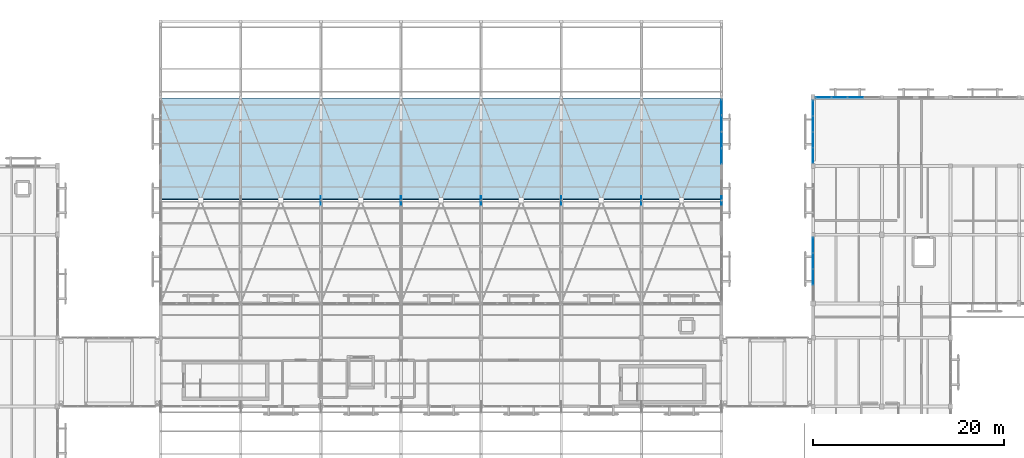
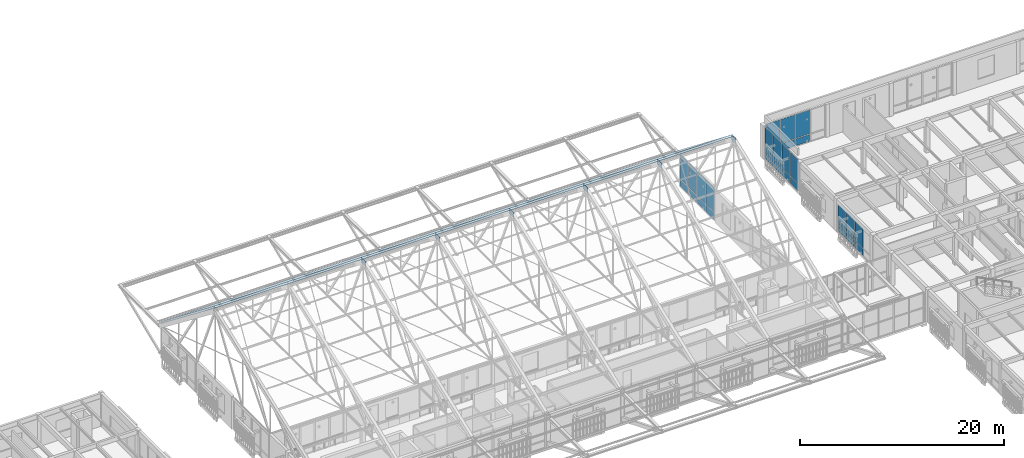
# One storey, part 171 of 217: 34 plates, 1 slab, 4 elements without a shape of their own.
"""IFC4 building model written with IfcOpenShell, lengths in metres."""

from ifc_helpers import new_model, si_unit, direction, frame, origin, origin_2d, place, context, subcontext, project, spatial, polyline, rectangle, outline, extrude, material, layer, layer_set, type_object, element, aggregate, save


model = new_model("IFC4")

# Units and contexts
model_context = context("Model", 3, precision=1e-05, world=origin(), true_north=direction((0.0, 1.0)))
body_context = subcontext(model_context, "Body", "Model", "MODEL_VIEW")
ifc_project = project(units=[si_unit("LENGTHUNIT", "METRE"), si_unit("AREAUNIT", "SQUARE_METRE"), si_unit("VOLUMEUNIT", "CUBIC_METRE"), si_unit("PLANEANGLEUNIT", "RADIAN"), si_unit("MASSUNIT", "GRAM", prefix="KILO")], contexts=[model_context])

# Site, building, storey
site_placement = place(None, origin())
site = spatial("IfcSite", under=ifc_project, at=site_placement, CompositionType="ELEMENT")
building_placement = place(site_placement, origin())
building = spatial("IfcBuilding", under=site, at=building_placement, Name="Mazaris Harbour Polytechnic", CompositionType="ELEMENT")
storey_placement = place(building_placement, frame((0.0, 0.0, 9.60009765625)))
storey = spatial("IfcBuildingStorey", under=building, at=storey_placement, Name="L02", CompositionType="ELEMENT", Elevation=9.60009765625)

# Curtain wall, plates
ifc_material_1 = material(Name="Anodised Bronze Aluminium and Low-E Glass", Category="aluminium")
ifc_layer_1 = layer(ifc_material_1, 0.14990234375, Name="Anodised Bronze Aluminium and Low-E Glass")
ifc_layer_set_1 = layer_set([ifc_layer_1], Name="Anodised Bronze Aluminium and Low-E Glass")
curtain_wall_type_1 = type_object("IfcCurtainWallType", Name="Workshop Clerestory Curtain Wall", PredefinedType="NOTDEFINED", material=ifc_layer_set_1)
curtain_wall_1_placement = place(storey_placement, origin())
curtain_wall_1 = element("IfcCurtainWall", 1, at=curtain_wall_1_placement, inside=storey, type_object=curtain_wall_type_1, Name="V1 L02 Curtain Wall 36", PredefinedType="NOTDEFINED")
ifc_material_2 = material(Name="Acoustic Low-E Double Glazing", Category="glass")
ifc_layer_2 = layer(ifc_material_2, 0.033935546875, Name="Acoustic Low-E Double Glazing")
ifc_layer_set_2 = layer_set([ifc_layer_2], Name="Acoustic Low-E Double Glazing")
plate_type_1 = type_object("IfcPlateType", Name="Acoustic Laminated Glass Panel 34", PredefinedType="CURTAIN_PANEL", material=ifc_layer_set_2)
plate_1_placement = place(storey_placement, frame((112.800048828125, 106.954833984375, 0.079833984375), z_axis=(0.0, 0.0, 1.0), x_axis=(0.0, -1.0, 0.0)))
plate_1 = element("IfcPlate", 2, at=plate_1_placement, type_object=plate_type_1, Name="CW-04 panel 1.1", PredefinedType="CURTAIN_PANEL", context=body_context, shape_type="SweptSolid", body=[
    extrude(rectangle(XDim=1.576416015625, YDim=0.033935546875, at=origin_2d()), origin(), (0.0, 0.0, 1.0), 0.830078125),
])
plate_2_placement = place(storey_placement, frame((112.800048828125, 106.954833984375, 0.98974609375), z_axis=(0.0, 0.0, 1.0), x_axis=(0.0, -1.0, 0.0)))
plate_2 = element("IfcPlate", 3, at=plate_2_placement, type_object=plate_type_1, Name="CW-04 panel 1.2", PredefinedType="CURTAIN_PANEL", context=body_context, shape_type="SweptSolid", body=[
    extrude(rectangle(XDim=1.576416015625, YDim=0.033935546875, at=origin_2d()), origin(), (0.0, 0.0, 1.0), 2.889892578125),
])
plate_3_placement = place(storey_placement, frame((112.800048828125, 105.253173828125, 0.079833984375), z_axis=(0.0, 0.0, 1.0), x_axis=(0.0, -1.0, 0.0)))
plate_3 = element("IfcPlate", 4, at=plate_3_placement, type_object=plate_type_1, Name="CW-04 panel 2.1", PredefinedType="CURTAIN_PANEL", context=body_context, shape_type="SweptSolid", body=[
    extrude(rectangle(XDim=1.62646484375, YDim=0.033935546875, at=origin_2d()), origin(), (0.0, 0.0, 1.0), 0.830078125),
])
plate_4_placement = place(storey_placement, frame((112.800048828125, 105.253173828125, 0.98974609375), z_axis=(0.0, 0.0, 1.0), x_axis=(0.0, -1.0, 0.0)))
plate_4 = element("IfcPlate", 5, at=plate_4_placement, type_object=plate_type_1, Name="CW-04 panel 2.2", PredefinedType="CURTAIN_PANEL", context=body_context, shape_type="SweptSolid", body=[
    extrude(rectangle(XDim=1.62646484375, YDim=0.033935546875, at=origin_2d()), origin(), (0.0, 0.0, 1.0), 2.889892578125),
])
plate_5_placement = place(storey_placement, frame((112.800048828125, 103.52685546875, 0.079833984375), z_axis=(0.0, 0.0, 1.0), x_axis=(0.0, -1.0, 0.0)))
plate_5 = element("IfcPlate", 6, at=plate_5_placement, type_object=plate_type_1, Name="CW-04 panel 3.1", PredefinedType="CURTAIN_PANEL", context=body_context, shape_type="SweptSolid", body=[
    extrude(rectangle(XDim=1.62646484375, YDim=0.033935546875, at=origin_2d()), origin(), (0.0, 0.0, 1.0), 0.830078125),
])
plate_6_placement = place(storey_placement, frame((112.800048828125, 103.52685546875, 0.98974609375), z_axis=(0.0, 0.0, 1.0), x_axis=(0.0, -1.0, 0.0)))
plate_6 = element("IfcPlate", 7, at=plate_6_placement, type_object=plate_type_1, Name="CW-04 panel 3.2", PredefinedType="CURTAIN_PANEL", context=body_context, shape_type="SweptSolid", body=[
    extrude(rectangle(XDim=1.62646484375, YDim=0.033935546875, at=origin_2d()), origin(), (0.0, 0.0, 1.0), 2.889892578125),
])
plate_7_placement = place(storey_placement, frame((112.800048828125, 101.8251953125, 0.079833984375), z_axis=(0.0, 0.0, 1.0), x_axis=(0.0, -1.0, 0.0)))
plate_7 = element("IfcPlate", 8, at=plate_7_placement, type_object=plate_type_1, Name="CW-04 panel 4.1", PredefinedType="CURTAIN_PANEL", context=body_context, shape_type="SweptSolid", body=[
    extrude(rectangle(XDim=1.576416015625, YDim=0.033935546875, at=origin_2d()), origin(), (0.0, 0.0, 1.0), 0.830078125),
])
plate_8_placement = place(storey_placement, frame((112.800048828125, 101.8251953125, 0.98974609375), z_axis=(0.0, 0.0, 1.0), x_axis=(0.0, -1.0, 0.0)))
plate_8 = element("IfcPlate", 9, at=plate_8_placement, type_object=plate_type_1, Name="CW-04 panel 4.2", PredefinedType="CURTAIN_PANEL", context=body_context, shape_type="SweptSolid", body=[
    extrude(rectangle(XDim=1.576416015625, YDim=0.033935546875, at=origin_2d()), origin(), (0.0, 0.0, 1.0), 2.889892578125),
])
aggregate(curtain_wall_1, [plate_1, plate_2, plate_3, plate_4, plate_5, plate_6, plate_7, plate_8])

# Slab
ifc_material_3 = material(Name="Glulam GL28h", Category="wood")
ifc_layer_3 = layer(ifc_material_3, 0.219970703125, Name="Glulam GL28h")
ifc_layer_set_3 = layer_set([ifc_layer_3], Name="Glulam GL28h")
slab_type = type_object("IfcSlabType", Name="Pitched Workshop Roof Deck 220", PredefinedType="ROOF", material=ifc_layer_set_3)
slab_placement = place(storey_placement, frame((54.0, 97.360107421875, 12.5498046875), z_axis=(0.0, 0.617687697744, 0.786423491546), x_axis=(1.0, 0.0, 0.0)))
element("IfcSlab", 10, at=slab_placement, inside=storey, type_object=slab_type, Name="V1 Workshop North Pitched Roof", PredefinedType="ROOF", context=body_context, shape_type="SweptSolid", body=[
    extrude(outline(polyline([(0.0, 0.0), (58.800048828125, 0.0), (58.800048828125, 13.453100140201933), (0.0, 13.453100140201933), (0.0, 0.0)])), origin(), (0.0, 0.0, -1.0), 0.219970703125),
])

# Curtain wall, plates
ifc_material_4 = material(Name="Anodised Bronze Aluminium and Low-E Glass", Category="aluminium")
ifc_layer_4 = layer(ifc_material_4, 0.169921875, Name="Anodised Bronze Aluminium and Low-E Glass")
ifc_layer_set_4 = layer_set([ifc_layer_4], Name="Anodised Bronze Aluminium and Low-E Glass")
curtain_wall_type_2 = type_object("IfcCurtainWallType", Name="Studio North-Light Curtain Wall", PredefinedType="NOTDEFINED", material=ifc_layer_set_4)
curtain_wall_2_placement = place(storey_placement, origin())
curtain_wall_2 = element("IfcCurtainWall", 11, at=curtain_wall_2_placement, inside=storey, type_object=curtain_wall_type_2, Name="V5 L02 Curtain Wall 227", PredefinedType="NOTDEFINED")
ifc_material_5 = material(Name="Solar-Control Low-E Glazing", Category="glass")
ifc_layer_5 = layer(ifc_material_5, 0.031982421875, Name="Solar-Control Low-E Glazing")
ifc_layer_set_5 = layer_set([ifc_layer_5], Name="Solar-Control Low-E Glazing")
plate_type_2 = type_object("IfcPlateType", Name="Solar Control Studio Glass Panel 32", PredefinedType="CURTAIN_PANEL", material=ifc_layer_set_5)
plate_9_placement = place(storey_placement, frame((123.482666015625, 108.0, 0.079833984375), z_axis=(0.0, 0.0, 1.0), x_axis=(1.0, 0.0, 0.0)))
plate_9 = element("IfcPlate", 12, at=plate_9_placement, type_object=plate_type_2, Name="CW-03 panel 1.1", PredefinedType="CURTAIN_PANEL", context=body_context, shape_type="SweptSolid", body=[
    extrude(rectangle(XDim=1.58154296875, YDim=0.031982421875, at=origin_2d()), origin(), (0.0, 0.0, 1.0), 0.830078125),
])
plate_10_placement = place(storey_placement, frame((123.482666015625, 108.0, 0.98974609375), z_axis=(0.0, 0.0, 1.0), x_axis=(1.0, 0.0, 0.0)))
plate_10 = element("IfcPlate", 13, at=plate_10_placement, type_object=plate_type_2, Name="CW-03 panel 1.2", PredefinedType="CURTAIN_PANEL", context=body_context, shape_type="SweptSolid", body=[
    extrude(rectangle(XDim=1.58154296875, YDim=0.031982421875, at=origin_2d()), origin(), (0.0, 0.0, 1.0), 2.85009765625),
])
plate_11_placement = place(storey_placement, frame((125.164306640625, 108.0, 0.079833984375), z_axis=(0.0, 0.0, 1.0), x_axis=(1.0, 0.0, 0.0)))
plate_11 = element("IfcPlate", 14, at=plate_11_placement, type_object=plate_type_2, Name="CW-03 panel 2.1", PredefinedType="CURTAIN_PANEL", context=body_context, shape_type="SweptSolid", body=[
    extrude(rectangle(XDim=1.62158203125, YDim=0.031982421875, at=origin_2d()), origin(), (0.0, 0.0, 1.0), 0.830078125),
])
plate_12_placement = place(storey_placement, frame((125.164306640625, 108.0, 0.98974609375), z_axis=(0.0, 0.0, 1.0), x_axis=(1.0, 0.0, 0.0)))
plate_12 = element("IfcPlate", 15, at=plate_12_placement, type_object=plate_type_2, Name="CW-03 panel 2.2", PredefinedType="CURTAIN_PANEL", context=body_context, shape_type="SweptSolid", body=[
    extrude(rectangle(XDim=1.62158203125, YDim=0.031982421875, at=origin_2d()), origin(), (0.0, 0.0, 1.0), 2.85009765625),
])
plate_13_placement = place(storey_placement, frame((126.86572265625, 108.0, 0.079833984375), z_axis=(0.0, 0.0, 1.0), x_axis=(1.0, 0.0, 0.0)))
plate_13 = element("IfcPlate", 16, at=plate_13_placement, type_object=plate_type_2, Name="CW-03 panel 3.1", PredefinedType="CURTAIN_PANEL", context=body_context, shape_type="SweptSolid", body=[
    extrude(rectangle(XDim=1.62158203125, YDim=0.031982421875, at=origin_2d()), origin(), (0.0, 0.0, 1.0), 0.830078125),
])
plate_14_placement = place(storey_placement, frame((126.86572265625, 108.0, 0.98974609375), z_axis=(0.0, 0.0, 1.0), x_axis=(1.0, 0.0, 0.0)))
plate_14 = element("IfcPlate", 17, at=plate_14_placement, type_object=plate_type_2, Name="CW-03 panel 3.2", PredefinedType="CURTAIN_PANEL", context=body_context, shape_type="SweptSolid", body=[
    extrude(rectangle(XDim=1.62158203125, YDim=0.031982421875, at=origin_2d()), origin(), (0.0, 0.0, 1.0), 2.85009765625),
])
aggregate(curtain_wall_2, [plate_9, plate_10, plate_11, plate_12, plate_13, plate_14])

curtain_wall_3_placement = place(storey_placement, origin())
curtain_wall_3 = element("IfcCurtainWall", 18, at=curtain_wall_3_placement, inside=storey, type_object=curtain_wall_type_2, Name="V5 L02 Curtain Wall 233", PredefinedType="NOTDEFINED")
plate_15_placement = place(storey_placement, frame((122.39990234375, 89.164306640625, 0.079833984375), z_axis=(0.0, 0.0, 1.0), x_axis=(0.0, 1.0, 0.0)))
plate_15 = element("IfcPlate", 19, at=plate_15_placement, type_object=plate_type_2, Name="CW-03 panel 2.1", PredefinedType="CURTAIN_PANEL", context=body_context, shape_type="SweptSolid", body=[
    extrude(rectangle(XDim=1.6015625, YDim=0.031982421875, at=origin_2d()), origin(), (0.0, 0.0, 1.0), 0.830078125),
])
plate_16_placement = place(storey_placement, frame((122.39990234375, 89.164306640625, 0.98974609375), z_axis=(0.0, 0.0, 1.0), x_axis=(0.0, 1.0, 0.0)))
plate_16 = element("IfcPlate", 20, at=plate_16_placement, type_object=plate_type_2, Name="CW-03 panel 2.2", PredefinedType="CURTAIN_PANEL", context=body_context, shape_type="SweptSolid", body=[
    extrude(rectangle(XDim=1.6015625, YDim=0.031982421875, at=origin_2d()), origin(), (0.0, 0.0, 1.0), 2.260009765625),
])
plate_17_placement = place(storey_placement, frame((122.39990234375, 90.845703125, 0.079833984375), z_axis=(0.0, 0.0, 1.0), x_axis=(0.0, 1.0, 0.0)))
plate_17 = element("IfcPlate", 21, at=plate_17_placement, type_object=plate_type_2, Name="CW-03 panel 3.1", PredefinedType="CURTAIN_PANEL", context=body_context, shape_type="SweptSolid", body=[
    extrude(rectangle(XDim=1.6015625, YDim=0.031982421875, at=origin_2d()), origin(), (0.0, 0.0, 1.0), 0.830078125),
])
plate_18_placement = place(storey_placement, frame((122.39990234375, 90.845703125, 0.98974609375), z_axis=(0.0, 0.0, 1.0), x_axis=(0.0, 1.0, 0.0)))
plate_18 = element("IfcPlate", 22, at=plate_18_placement, type_object=plate_type_2, Name="CW-03 panel 3.2", PredefinedType="CURTAIN_PANEL", context=body_context, shape_type="SweptSolid", body=[
    extrude(rectangle(XDim=1.6015625, YDim=0.031982421875, at=origin_2d()), origin(), (0.0, 0.0, 1.0), 2.260009765625),
])
plate_19_placement = place(storey_placement, frame((122.39990234375, 92.50732421875, 0.079833984375), z_axis=(0.0, 0.0, 1.0), x_axis=(0.0, 1.0, 0.0)))
plate_19 = element("IfcPlate", 23, at=plate_19_placement, type_object=plate_type_2, Name="CW-03 panel 4.1", PredefinedType="CURTAIN_PANEL", context=body_context, shape_type="SweptSolid", body=[
    extrude(rectangle(XDim=1.5615234375, YDim=0.031982421875, at=origin_2d()), origin(), (0.0, 0.0, 1.0), 0.830078125),
])
plate_20_placement = place(storey_placement, frame((122.39990234375, 92.50732421875, 0.98974609375), z_axis=(0.0, 0.0, 1.0), x_axis=(0.0, 1.0, 0.0)))
plate_20 = element("IfcPlate", 24, at=plate_20_placement, type_object=plate_type_2, Name="CW-03 panel 4.2", PredefinedType="CURTAIN_PANEL", context=body_context, shape_type="SweptSolid", body=[
    extrude(rectangle(XDim=1.5615234375, YDim=0.031982421875, at=origin_2d()), origin(), (0.0, 0.0, 1.0), 2.260009765625),
])
aggregate(curtain_wall_3, [plate_15, plate_16, plate_17, plate_18, plate_19, plate_20])

curtain_wall_4_placement = place(storey_placement, origin())
curtain_wall_4 = element("IfcCurtainWall", 25, at=curtain_wall_4_placement, inside=storey, type_object=curtain_wall_type_2, Name="V5 L02 Curtain Wall 234", PredefinedType="NOTDEFINED")
plate_21_placement = place(storey_placement, frame((122.39990234375, 101.912841796875, 0.079833984375), z_axis=(0.0, 0.0, 1.0), x_axis=(0.0, 1.0, 0.0)))
plate_21 = element("IfcPlate", 26, at=plate_21_placement, type_object=plate_type_2, Name="CW-03 panel 1.1", PredefinedType="CURTAIN_PANEL", context=body_context, shape_type="SweptSolid", body=[
    extrude(rectangle(XDim=1.54150390625, YDim=0.031982421875, at=origin_2d()), origin(), (0.0, 0.0, 1.0), 0.830078125),
])
plate_22_placement = place(storey_placement, frame((122.39990234375, 101.912841796875, 0.98974609375), z_axis=(0.0, 0.0, 1.0), x_axis=(0.0, 1.0, 0.0)))
plate_22 = element("IfcPlate", 27, at=plate_22_placement, type_object=plate_type_2, Name="CW-03 panel 1.2", PredefinedType="CURTAIN_PANEL", context=body_context, shape_type="SweptSolid", body=[
    extrude(rectangle(XDim=1.54150390625, YDim=0.031982421875, at=origin_2d()), origin(), (0.0, 0.0, 1.0), 2.85009765625),
])
plate_23_placement = place(storey_placement, frame((122.39990234375, 103.55419921875, 0.079833984375), z_axis=(0.0, 0.0, 1.0), x_axis=(0.0, 1.0, 0.0)))
plate_23 = element("IfcPlate", 28, at=plate_23_placement, type_object=plate_type_2, Name="CW-03 panel 2.1", PredefinedType="CURTAIN_PANEL", context=body_context, shape_type="SweptSolid", body=[
    extrude(rectangle(XDim=1.58154296875, YDim=0.031982421875, at=origin_2d()), origin(), (0.0, 0.0, 1.0), 0.830078125),
])
plate_24_placement = place(storey_placement, frame((122.39990234375, 103.55419921875, 0.98974609375), z_axis=(0.0, 0.0, 1.0), x_axis=(0.0, 1.0, 0.0)))
plate_24 = element("IfcPlate", 29, at=plate_24_placement, type_object=plate_type_2, Name="CW-03 panel 2.2", PredefinedType="CURTAIN_PANEL", context=body_context, shape_type="SweptSolid", body=[
    extrude(rectangle(XDim=1.58154296875, YDim=0.031982421875, at=origin_2d()), origin(), (0.0, 0.0, 1.0), 2.85009765625),
])
plate_25_placement = place(storey_placement, frame((122.39990234375, 105.2158203125, 0.079833984375), z_axis=(0.0, 0.0, 1.0), x_axis=(0.0, 1.0, 0.0)))
plate_25 = element("IfcPlate", 30, at=plate_25_placement, type_object=plate_type_2, Name="CW-03 panel 3.1", PredefinedType="CURTAIN_PANEL", context=body_context, shape_type="SweptSolid", body=[
    extrude(rectangle(XDim=1.58154296875, YDim=0.031982421875, at=origin_2d()), origin(), (0.0, 0.0, 1.0), 0.830078125),
])
plate_26_placement = place(storey_placement, frame((122.39990234375, 105.2158203125, 0.98974609375), z_axis=(0.0, 0.0, 1.0), x_axis=(0.0, 1.0, 0.0)))
plate_26 = element("IfcPlate", 31, at=plate_26_placement, type_object=plate_type_2, Name="CW-03 panel 3.2", PredefinedType="CURTAIN_PANEL", context=body_context, shape_type="SweptSolid", body=[
    extrude(rectangle(XDim=1.58154296875, YDim=0.031982421875, at=origin_2d()), origin(), (0.0, 0.0, 1.0), 2.85009765625),
])
plate_27_placement = place(storey_placement, frame((122.39990234375, 106.857177734375, 0.079833984375), z_axis=(0.0, 0.0, 1.0), x_axis=(0.0, 1.0, 0.0)))
plate_27 = element("IfcPlate", 32, at=plate_27_placement, type_object=plate_type_2, Name="CW-03 panel 4.1", PredefinedType="CURTAIN_PANEL", context=body_context, shape_type="SweptSolid", body=[
    extrude(rectangle(XDim=1.54150390625, YDim=0.031982421875, at=origin_2d()), origin(), (0.0, 0.0, 1.0), 0.830078125),
])
plate_28_placement = place(storey_placement, frame((122.39990234375, 106.857177734375, 0.98974609375), z_axis=(0.0, 0.0, 1.0), x_axis=(0.0, 1.0, 0.0)))
plate_28 = element("IfcPlate", 33, at=plate_28_placement, type_object=plate_type_2, Name="CW-03 panel 4.2", PredefinedType="CURTAIN_PANEL", context=body_context, shape_type="SweptSolid", body=[
    extrude(rectangle(XDim=1.54150390625, YDim=0.031982421875, at=origin_2d()), origin(), (0.0, 0.0, 1.0), 2.85009765625),
])
aggregate(curtain_wall_4, [plate_21, plate_22, plate_23, plate_24, plate_25, plate_26, plate_27, plate_28])

# Plates
ifc_material_6 = material(Name="Steel S355", Category="steel")
ifc_layer_6 = layer(ifc_material_6, 0.02392578125, Name="Steel S355")
ifc_layer_set_6 = layer_set([ifc_layer_6], Name="Steel S355")
plate_type_3 = type_object("IfcPlateType", Name="Truss Ridge Gusset Plate 900x650x24", PredefinedType="SHEET", material=ifc_layer_set_6)
for number, where, z_axis, x_axis, name in (
    (34, (70.800048828125, 97.199951171875, 11.724853515625), (0.0, 0.0, 1.0), (0.0, 1.0, 0.0), "Truss 3 Ridge Gusset Plate"),
    (35, (79.199951171875, 97.199951171875, 11.724853515625), (0.0, 0.0, 1.0), (0.0, 1.0, 0.0), "Truss 4 Ridge Gusset Plate"),
    (36, (87.60009765625, 97.199951171875, 11.724853515625), (0.0, 0.0, 1.0), (0.0, 1.0, 0.0), "Truss 5 Ridge Gusset Plate"),
    (37, (96.0, 97.199951171875, 11.724853515625), (0.0, 0.0, 1.0), (0.0, 1.0, 0.0), "Truss 6 Ridge Gusset Plate"),
    (38, (104.39990234375, 97.199951171875, 11.724853515625), (0.0, 0.0, 1.0), (0.0, 1.0, 0.0), "Truss 7 Ridge Gusset Plate"),
    (39, (112.800048828125, 97.199951171875, 11.724853515625), (0.0, 0.0, 1.0), (0.0, 1.0, 0.0), "Truss 8 Ridge Gusset Plate"),
):
    element("IfcPlate", number, at=place(storey_placement, frame(where, z_axis=z_axis, x_axis=x_axis)), inside=storey, type_object=plate_type_3, Name=name, PredefinedType="SHEET", context=body_context, shape_type="SweptSolid", body=[
        extrude(rectangle(XDim=0.89990234375, YDim=0.02392578125, at=origin_2d()), origin(), (0.0, 0.0, 1.0), 0.64990234375),
    ])

save(model, "model.ifc")
